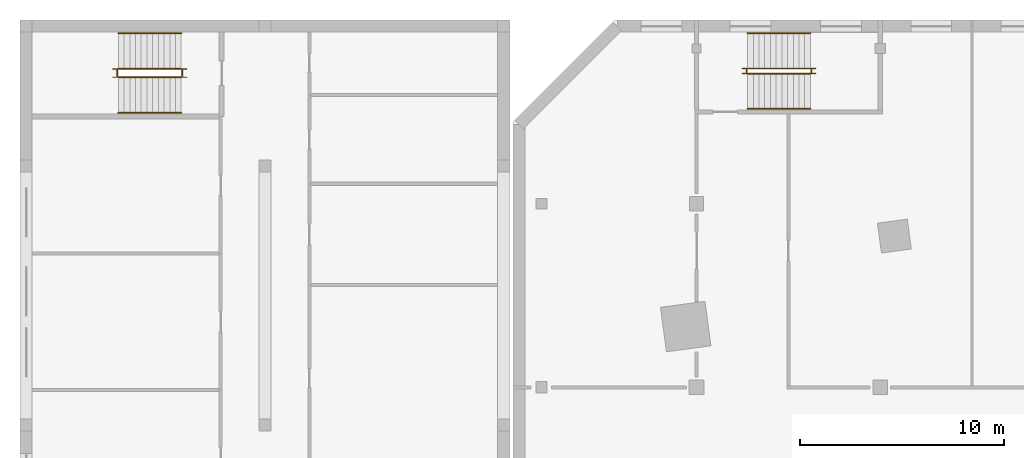
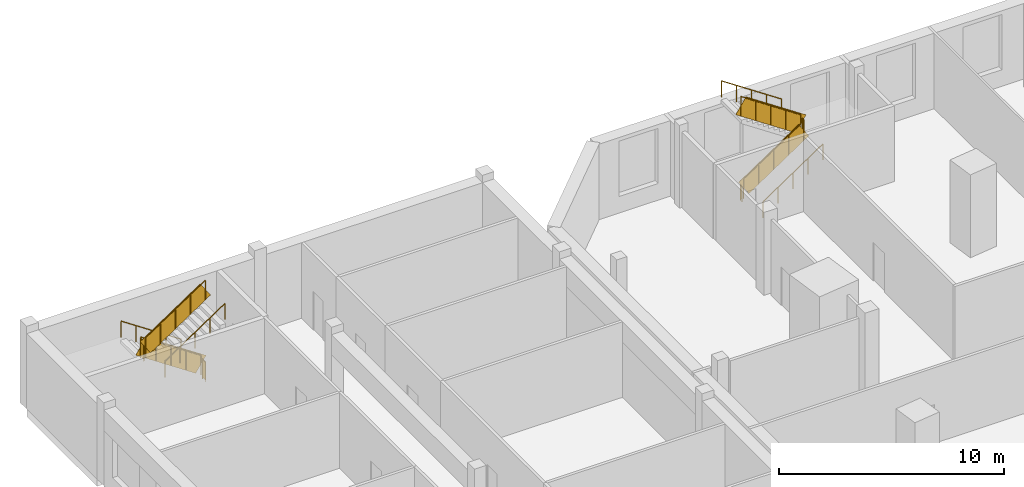
# One storey, part 19 of 20: 12 railings.
"""IFC4 building model written with IfcOpenShell, lengths in metres."""

from ifc_helpers import new_model, si_unit, direction, frame, origin, origin_2d, place, context, subcontext, project, spatial, rectangle, circle, extrude, material, type_object, element, save


model = new_model("IFC4")

# Units and contexts
model_context = context("Model", 3, precision=1e-05, world=origin(), true_north=direction((0.0, 1.0)))
body_context = subcontext(model_context, "Body", "Model", "MODEL_VIEW")
ifc_project = project(units=[si_unit("LENGTHUNIT", "METRE"), si_unit("AREAUNIT", "SQUARE_METRE"), si_unit("VOLUMEUNIT", "CUBIC_METRE"), si_unit("PLANEANGLEUNIT", "RADIAN"), si_unit("MASSUNIT", "GRAM", prefix="KILO")], contexts=[model_context])

# Site, building, storey
site_placement = place(None, origin())
site = spatial("IfcSite", under=ifc_project, at=site_placement, CompositionType="ELEMENT")
building_placement = place(site_placement, origin())
building = spatial("IfcBuilding", under=site, at=building_placement, Name="Dilmun Exchange Tower", CompositionType="ELEMENT")
storey_placement = place(building_placement, frame((0.0, 0.0, 9.0)))
storey = spatial("IfcBuildingStorey", under=building, at=storey_placement, Name="L02", CompositionType="ELEMENT", Elevation=9.0)

# Railings
ifc_material_1 = material(Name="Guard 1100")
railing_type_1 = type_object("IfcRailingType", Name="Guard 1100", PredefinedType="GUARDRAIL", material=ifc_material_1)
railing_1_placement = place(storey_placement, frame((-24.5, 33.3740234375, 0.1875)))
element("IfcRailing", 1, at=railing_1_placement, inside=storey, type_object=railing_type_1, Name="L02 PS1 stair guard 1", PredefinedType="GUARDRAIL", context=body_context, shape_type="SweptSolid", body=[
    extrude(circle(Radius=0.02392578125, at=origin_2d()), frame((0.0, 0.0, 1.076171875), z_axis=(0.830913701846, 0.0, 0.55640131208), x_axis=(0.0, 1.0, 0.0)), (0.0, 0.0, 1.0), 3.706787109375),
    extrude(rectangle(XDim=0.011962890625, YDim=0.951904296875, at=origin_2d()), frame((0.0, 0.0, 0.576171875), z_axis=(0.830913701846, 0.0, 0.55640131208), x_axis=(0.0, 1.0, 0.0)), (0.0, 0.0, 1.0), 3.706787109375),
    extrude(circle(Radius=0.02099609375, at=origin_2d()), origin(), (0.0, 0.0, 1.0), 1.052001953125),
    extrude(circle(Radius=0.02099609375, at=origin_2d()), frame((0.77001953125, 0.0, 0.515625)), (0.0, 0.0, 1.0), 1.052001953125),
    extrude(circle(Radius=0.02099609375, at=origin_2d()), frame((1.5400390625, 0.0, 1.03125)), (0.0, 0.0, 1.0), 1.052001953125),
    extrude(circle(Radius=0.02099609375, at=origin_2d()), frame((2.31005859375, 0.0, 1.546875)), (0.0, 0.0, 1.0), 1.052001953125),
    extrude(circle(Radius=0.02099609375, at=origin_2d()), frame((3.080078125, 0.0, 2.0625)), (0.0, 0.0, 1.0), 1.052001953125),
])
railing_2_placement = place(storey_placement, frame((-21.3701171875, 33.424072265625, 2.25)))
element("IfcRailing", 2, at=railing_2_placement, inside=storey, type_object=railing_type_1, Name="L02 PS1 stair guard 2", PredefinedType="GUARDRAIL", context=body_context, shape_type="SweptSolid", body=[
    extrude(circle(Radius=0.02392578125, at=origin_2d()), frame((0.0, 0.0, 1.076171875), z_axis=(0.0, 1.0, 0.0), x_axis=(-1.0, 0.0, 0.0)), (0.0, 0.0, 1.0), 0.14990234375),
    extrude(rectangle(XDim=0.011962890625, YDim=0.951904296875, at=origin_2d()), frame((0.0, 0.0, 0.576171875), z_axis=(0.0, 1.0, 0.0), x_axis=(-1.0, 0.0, 0.0)), (0.0, 0.0, 1.0), 0.14990234375),
    extrude(circle(Radius=0.02099609375, at=origin_2d()), origin(), (0.0, 0.0, 1.0), 1.052001953125),
    extrude(circle(Radius=0.02099609375, at=origin_2d()), frame((0.0, 0.14990234375, 0.0)), (0.0, 0.0, 1.0), 1.052001953125),
])
railing_3_placement = place(storey_placement, frame((-21.419921875, 33.6240234375, 2.4375)))
element("IfcRailing", 3, at=railing_3_placement, inside=storey, type_object=railing_type_1, Name="L02 PS1 stair guard 3", PredefinedType="GUARDRAIL", context=body_context, shape_type="SweptSolid", body=[
    extrude(circle(Radius=0.02392578125, at=origin_2d()), frame((0.0, 0.0, 1.076171875), z_axis=(-0.830913701846, 0.0, 0.55640131208), x_axis=(0.0, -1.0, 0.0)), (0.0, 0.0, 1.0), 3.706787109375),
    extrude(rectangle(XDim=0.011962890625, YDim=0.951904296875, at=origin_2d()), frame((0.0, 0.0, 0.576171875), z_axis=(-0.830913701846, 0.0, 0.55640131208), x_axis=(0.0, -1.0, 0.0)), (0.0, 0.0, 1.0), 3.706787109375),
    extrude(circle(Radius=0.02099609375, at=origin_2d()), origin(), (0.0, 0.0, 1.0), 1.052001953125),
    extrude(circle(Radius=0.02099609375, at=origin_2d()), frame((-0.77001953125, 0.0, 0.515625)), (0.0, 0.0, 1.0), 1.052001953125),
    extrude(circle(Radius=0.02099609375, at=origin_2d()), frame((-1.5400390625, 0.0, 1.03125)), (0.0, 0.0, 1.0), 1.052001953125),
    extrude(circle(Radius=0.02099609375, at=origin_2d()), frame((-2.31005859375, 0.0, 1.546875)), (0.0, 0.0, 1.0), 1.052001953125),
    extrude(circle(Radius=0.02099609375, at=origin_2d()), frame((-3.080078125, 0.0, 2.0625)), (0.0, 0.0, 1.0), 1.052001953125),
])
railing_4_placement = place(storey_placement, frame((-24.550048828125, 33.424072265625, 0.0)))
element("IfcRailing", 4, at=railing_4_placement, inside=storey, type_object=railing_type_1, Name="L02 PS1 stair guard 4", PredefinedType="GUARDRAIL", context=body_context, shape_type="SweptSolid", body=[
    extrude(circle(Radius=0.02392578125, at=origin_2d()), frame((0.0, 0.0, 1.076171875), z_axis=(0.0, 1.0, 0.0), x_axis=(-1.0, 0.0, 0.0)), (0.0, 0.0, 1.0), 0.14990234375),
    extrude(rectangle(XDim=0.011962890625, YDim=0.951904296875, at=origin_2d()), frame((0.0, 0.0, 0.576171875), z_axis=(0.0, 1.0, 0.0), x_axis=(-1.0, 0.0, 0.0)), (0.0, 0.0, 1.0), 0.14990234375),
    extrude(circle(Radius=0.02099609375, at=origin_2d()), origin(), (0.0, 0.0, 1.0), 1.052001953125),
    extrude(circle(Radius=0.02099609375, at=origin_2d()), frame((0.0, 0.14990234375, 0.0)), (0.0, 0.0, 1.0), 1.052001953125),
])
ifc_material_2 = material(Name="Handrail 900")
railing_type_2 = type_object("IfcRailingType", Name="Handrail 900", PredefinedType="HANDRAIL", material=ifc_material_2)
railing_5_placement = place(storey_placement, frame((-24.5, 31.64990234375, 0.1875)))
element("IfcRailing", 5, at=railing_5_placement, inside=storey, type_object=railing_type_2, Name="L02 PS1 stair handrail 1", PredefinedType="HANDRAIL", context=body_context, shape_type="SweptSolid", body=[
    extrude(circle(Radius=0.02392578125, at=origin_2d()), frame((0.0, 0.0, 0.8759765625), z_axis=(0.830913701846, 0.0, 0.55640131208), x_axis=(0.0, 1.0, 0.0)), (0.0, 0.0, 1.0), 3.706787109375),
    extrude(circle(Radius=0.02099609375, at=origin_2d()), origin(), (0.0, 0.0, 1.0), 0.851806640625),
    extrude(circle(Radius=0.02099609375, at=origin_2d()), frame((0.77001953125, 0.0, 0.515625)), (0.0, 0.0, 1.0), 0.851806640625),
    extrude(circle(Radius=0.02099609375, at=origin_2d()), frame((1.5400390625, 0.0, 1.03125)), (0.0, 0.0, 1.0), 0.851806640625),
    extrude(circle(Radius=0.02099609375, at=origin_2d()), frame((2.31005859375, 0.0, 1.546875)), (0.0, 0.0, 1.0), 0.851806640625),
    extrude(circle(Radius=0.02099609375, at=origin_2d()), frame((3.080078125, 0.0, 2.0625)), (0.0, 0.0, 1.0), 0.851806640625),
])
railing_6_placement = place(storey_placement, frame((-21.419921875, 35.347900390625, 2.4375)))
element("IfcRailing", 6, at=railing_6_placement, inside=storey, type_object=railing_type_2, Name="L02 PS1 stair handrail 2", PredefinedType="HANDRAIL", context=body_context, shape_type="SweptSolid", body=[
    extrude(circle(Radius=0.02392578125, at=origin_2d()), frame((0.0, 0.0, 0.8759765625), z_axis=(-0.830913701846, 0.0, 0.55640131208), x_axis=(0.0, -1.0, 0.0)), (0.0, 0.0, 1.0), 3.706787109375),
    extrude(circle(Radius=0.02099609375, at=origin_2d()), origin(), (0.0, 0.0, 1.0), 0.851806640625),
    extrude(circle(Radius=0.02099609375, at=origin_2d()), frame((-0.77001953125, 0.0, 0.515625)), (0.0, 0.0, 1.0), 0.851806640625),
    extrude(circle(Radius=0.02099609375, at=origin_2d()), frame((-1.5400390625, 0.0, 1.03125)), (0.0, 0.0, 1.0), 0.851806640625),
    extrude(circle(Radius=0.02099609375, at=origin_2d()), frame((-2.31005859375, 0.0, 1.546875)), (0.0, 0.0, 1.0), 0.851806640625),
    extrude(circle(Radius=0.02099609375, at=origin_2d()), frame((-3.080078125, 0.0, 2.0625)), (0.0, 0.0, 1.0), 0.851806640625),
])
ifc_material_3 = material(Name="Steel S355", Category="steel")
railing_type_3 = type_object("IfcRailingType", Name="School stair guard 1100", PredefinedType="GUARDRAIL", material=ifc_material_3)
railing_7_placement = place(storey_placement, frame((-52.25, 33.60009765625, 0.1875)))
element("IfcRailing", 7, at=railing_7_placement, inside=storey, type_object=railing_type_3, Name="L02 SCH-S1 stair guard 1", PredefinedType="GUARDRAIL", context=body_context, shape_type="SweptSolid", body=[
    extrude(circle(Radius=0.02392578125, at=origin_2d()), frame((0.0, 0.0, 1.076171875), z_axis=(-0.830913701846, 0.0, 0.55640131208), x_axis=(0.0, -1.0, 0.0)), (0.0, 0.0, 1.0), 3.706787109375),
    extrude(rectangle(XDim=0.011962890625, YDim=0.951904296875, at=origin_2d()), frame((0.0, 0.0, 0.576171875), z_axis=(-0.830913701846, 0.0, 0.55640131208), x_axis=(0.0, -1.0, 0.0)), (0.0, 0.0, 1.0), 3.706787109375),
    extrude(circle(Radius=0.02099609375, at=origin_2d()), origin(), (0.0, 0.0, 1.0), 1.052001953125),
    extrude(circle(Radius=0.02099609375, at=origin_2d()), frame((-0.77001953125, 0.0, 0.515625)), (0.0, 0.0, 1.0), 1.052001953125),
    extrude(circle(Radius=0.02099609375, at=origin_2d()), frame((-1.5400390625, 0.0, 1.03125)), (0.0, 0.0, 1.0), 1.052001953125),
    extrude(circle(Radius=0.02099609375, at=origin_2d()), frame((-2.31005859375, 0.0, 1.546875)), (0.0, 0.0, 1.0), 1.052001953125),
    extrude(circle(Radius=0.02099609375, at=origin_2d()), frame((-3.080078125, 0.0, 2.0625)), (0.0, 0.0, 1.0), 1.052001953125),
])
railing_8_placement = place(storey_placement, frame((-55.3798828125, 33.550048828125, 2.25)))
element("IfcRailing", 8, at=railing_8_placement, inside=storey, type_object=railing_type_3, Name="L02 SCH-S1 stair guard 2", PredefinedType="GUARDRAIL", context=body_context, shape_type="SweptSolid", body=[
    extrude(circle(Radius=0.02392578125, at=origin_2d()), frame((0.0, 0.0, 1.076171875), z_axis=(0.0, -1.0, 0.0), x_axis=(1.0, 0.0, 0.0)), (0.0, 0.0, 1.0), 0.300048828125),
    extrude(rectangle(XDim=0.011962890625, YDim=0.951904296875, at=origin_2d()), frame((0.0, 0.0, 0.576171875), z_axis=(0.0, -1.0, 0.0), x_axis=(1.0, 0.0, 0.0)), (0.0, 0.0, 1.0), 0.300048828125),
    extrude(circle(Radius=0.02099609375, at=origin_2d()), origin(), (0.0, 0.0, 1.0), 1.052001953125),
    extrude(circle(Radius=0.02099609375, at=origin_2d()), frame((0.0, -0.300048828125, 0.0)), (0.0, 0.0, 1.0), 1.052001953125),
])
railing_9_placement = place(storey_placement, frame((-55.330078125, 33.199951171875, 2.4375)))
element("IfcRailing", 9, at=railing_9_placement, inside=storey, type_object=railing_type_3, Name="L02 SCH-S1 stair guard 3", PredefinedType="GUARDRAIL", context=body_context, shape_type="SweptSolid", body=[
    extrude(circle(Radius=0.02392578125, at=origin_2d()), frame((0.0, 0.0, 1.076171875), z_axis=(0.830913701846, 0.0, 0.55640131208), x_axis=(0.0, 1.0, 0.0)), (0.0, 0.0, 1.0), 3.706787109375),
    extrude(rectangle(XDim=0.011962890625, YDim=0.951904296875, at=origin_2d()), frame((0.0, 0.0, 0.576171875), z_axis=(0.830913701846, 0.0, 0.55640131208), x_axis=(0.0, 1.0, 0.0)), (0.0, 0.0, 1.0), 3.706787109375),
    extrude(circle(Radius=0.02099609375, at=origin_2d()), origin(), (0.0, 0.0, 1.0), 1.052001953125),
    extrude(circle(Radius=0.02099609375, at=origin_2d()), frame((0.77001953125, 0.0, 0.515625)), (0.0, 0.0, 1.0), 1.052001953125),
    extrude(circle(Radius=0.02099609375, at=origin_2d()), frame((1.5400390625, 0.0, 1.03125)), (0.0, 0.0, 1.0), 1.052001953125),
    extrude(circle(Radius=0.02099609375, at=origin_2d()), frame((2.31005859375, 0.0, 1.546875)), (0.0, 0.0, 1.0), 1.052001953125),
    extrude(circle(Radius=0.02099609375, at=origin_2d()), frame((3.080078125, 0.0, 2.0625)), (0.0, 0.0, 1.0), 1.052001953125),
])
railing_10_placement = place(storey_placement, frame((-52.199951171875, 33.550048828125, 0.0)))
element("IfcRailing", 10, at=railing_10_placement, inside=storey, type_object=railing_type_3, Name="L02 SCH-S1 stair guard 4", PredefinedType="GUARDRAIL", context=body_context, shape_type="SweptSolid", body=[
    extrude(circle(Radius=0.02392578125, at=origin_2d()), frame((0.0, 0.0, 1.076171875), z_axis=(0.0, -1.0, 0.0), x_axis=(1.0, 0.0, 0.0)), (0.0, 0.0, 1.0), 0.300048828125),
    extrude(rectangle(XDim=0.011962890625, YDim=0.951904296875, at=origin_2d()), frame((0.0, 0.0, 0.576171875), z_axis=(0.0, -1.0, 0.0), x_axis=(1.0, 0.0, 0.0)), (0.0, 0.0, 1.0), 0.300048828125),
    extrude(circle(Radius=0.02099609375, at=origin_2d()), origin(), (0.0, 0.0, 1.0), 1.052001953125),
    extrude(circle(Radius=0.02099609375, at=origin_2d()), frame((0.0, -0.300048828125, 0.0)), (0.0, 0.0, 1.0), 1.052001953125),
])
railing_type_4 = type_object("IfcRailingType", Name="School stair handrail 900", PredefinedType="HANDRAIL", material=ifc_material_3)
railing_11_placement = place(storey_placement, frame((-52.25, 35.35009765625, 0.1875)))
element("IfcRailing", 11, at=railing_11_placement, inside=storey, type_object=railing_type_4, Name="L02 SCH-S1 stair handrail 1", PredefinedType="HANDRAIL", context=body_context, shape_type="SweptSolid", body=[
    extrude(circle(Radius=0.02392578125, at=origin_2d()), frame((0.0, 0.0, 0.8759765625), z_axis=(-0.830913701846, 0.0, 0.55640131208), x_axis=(0.0, -1.0, 0.0)), (0.0, 0.0, 1.0), 3.706787109375),
    extrude(circle(Radius=0.02099609375, at=origin_2d()), origin(), (0.0, 0.0, 1.0), 0.851806640625),
    extrude(circle(Radius=0.02099609375, at=origin_2d()), frame((-0.77001953125, 0.0, 0.515625)), (0.0, 0.0, 1.0), 0.851806640625),
    extrude(circle(Radius=0.02099609375, at=origin_2d()), frame((-1.5400390625, 0.0, 1.03125)), (0.0, 0.0, 1.0), 0.851806640625),
    extrude(circle(Radius=0.02099609375, at=origin_2d()), frame((-2.31005859375, 0.0, 1.546875)), (0.0, 0.0, 1.0), 0.851806640625),
    extrude(circle(Radius=0.02099609375, at=origin_2d()), frame((-3.080078125, 0.0, 2.0625)), (0.0, 0.0, 1.0), 0.851806640625),
])
railing_12_placement = place(storey_placement, frame((-55.330078125, 31.449951171875, 2.4375)))
element("IfcRailing", 12, at=railing_12_placement, inside=storey, type_object=railing_type_4, Name="L02 SCH-S1 stair handrail 2", PredefinedType="HANDRAIL", context=body_context, shape_type="SweptSolid", body=[
    extrude(circle(Radius=0.02392578125, at=origin_2d()), frame((0.0, 0.0, 0.8759765625), z_axis=(0.830913701846, 0.0, 0.55640131208), x_axis=(0.0, 1.0, 0.0)), (0.0, 0.0, 1.0), 3.706787109375),
    extrude(circle(Radius=0.02099609375, at=origin_2d()), origin(), (0.0, 0.0, 1.0), 0.851806640625),
    extrude(circle(Radius=0.02099609375, at=origin_2d()), frame((0.77001953125, 0.0, 0.515625)), (0.0, 0.0, 1.0), 0.851806640625),
    extrude(circle(Radius=0.02099609375, at=origin_2d()), frame((1.5400390625, 0.0, 1.03125)), (0.0, 0.0, 1.0), 0.851806640625),
    extrude(circle(Radius=0.02099609375, at=origin_2d()), frame((2.31005859375, 0.0, 1.546875)), (0.0, 0.0, 1.0), 0.851806640625),
    extrude(circle(Radius=0.02099609375, at=origin_2d()), frame((3.080078125, 0.0, 2.0625)), (0.0, 0.0, 1.0), 0.851806640625),
])

save(model, "model.ifc")
